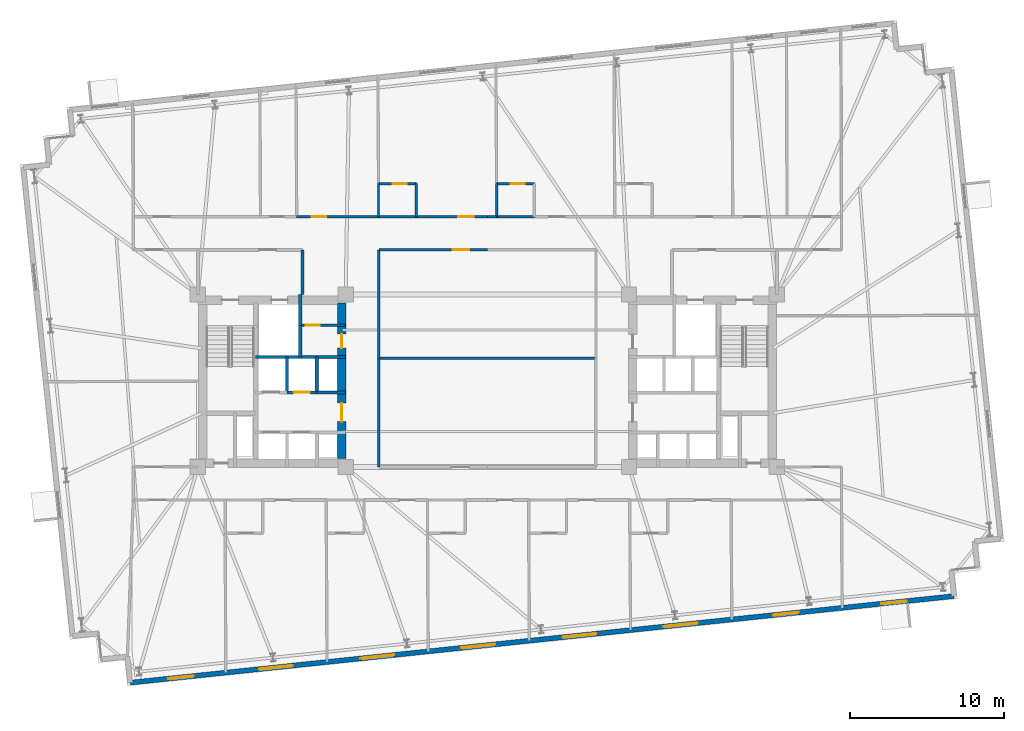
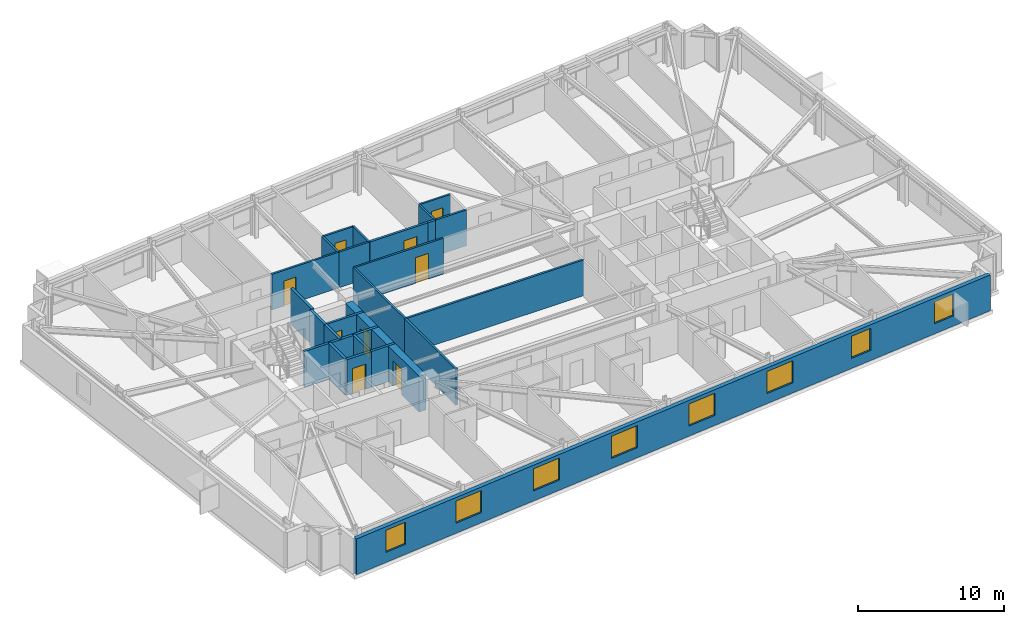
# One storey, part 13 of 19: 25 walls, 9 doors, 8 windows, 17 openings.
"""IFC4 building model written with IfcOpenShell, lengths in metres."""

from ifc_helpers import new_model, si_unit, direction, frame, frame_2d, origin, place, context, subcontext, project, spatial, rectangle, extrude, material, layer, layer_set, type_object, element, fill, save


model = new_model("IFC4")

# Units and contexts
model_context = context("Model", 3, precision=1e-05, world=origin(), true_north=direction((0.0, 1.0)))
body_context = subcontext(model_context, "Body", "Model", "MODEL_VIEW")
ifc_project = project(units=[si_unit("LENGTHUNIT", "METRE"), si_unit("AREAUNIT", "SQUARE_METRE"), si_unit("VOLUMEUNIT", "CUBIC_METRE"), si_unit("PLANEANGLEUNIT", "RADIAN"), si_unit("MASSUNIT", "GRAM", prefix="KILO")], contexts=[model_context])

# Site, building, storey
site_placement = place(None, origin())
site = spatial("IfcSite", under=ifc_project, at=site_placement, CompositionType="ELEMENT")
building_placement = place(site_placement, origin())
building = spatial("IfcBuilding", under=site, at=building_placement, Name="Qobustan Lattice House", CompositionType="ELEMENT")
storey_placement = place(building_placement, frame((0.0, 0.0, 122.550048828125)))
storey = spatial("IfcBuildingStorey", under=building, at=storey_placement, Name="L34", CompositionType="ELEMENT", Elevation=122.550048828125)

# Wall, openings, doors
ifc_material_1 = material(Name="Concrete C60/75", Category="concrete")
ifc_layer_1 = layer(ifc_material_1, 0.56005859375)
ifc_layer_set_1 = layer_set([ifc_layer_1], Name="Concrete C60/75")
wall_type_1 = type_object("IfcWallType", Name="WAL-CORE-600", PredefinedType="SHEAR", material=ifc_layer_set_1)
wall_1_placement = place(storey_placement, frame((-9.449951171875, -5.050048828125, 0.0), z_axis=(0.0, 0.0, 1.0), x_axis=(0.0, 1.0, 0.0)))
wall_1 = element("IfcWall", 1, at=wall_1_placement, inside=storey, type_object=wall_type_1, Name="L34 split-core shear wall CW-E", PredefinedType="SHEAR", context=body_context, shape_type="SweptSolid", body=[
    extrude(rectangle(XDim=10.10009765625, YDim=0.56005859375, at=frame_2d((5.050048828125, 0.0))), origin(), (0.0, 0.0, 1.0), 3.0),
])
opening_1_placement = place(wall_1_placement, frame((7.175048828125, 0.0, 0.0)))
opening_1 = element("IfcOpeningElement", 2, at=opening_1_placement, cuts=wall_1, Name="Opening RD-01", PredefinedType="OPENING", context=body_context, shape_type="SweptSolid", body=[
    extrude(rectangle(XDim=0.89990234375, YDim=2.10009765625, at=frame_2d((0.449951171875, 1.050048828125))), frame((0.0, 0.2900390625, 0.0), z_axis=(0.0, -1.0, 0.0), x_axis=(1.0, 0.0, 0.0)), (0.0, 0.0, 1.0), 0.580078125),
])
opening_2_placement = place(wall_1_placement, frame((2.39990234375, 0.0, 0.0)))
opening_2 = element("IfcOpeningElement", 3, at=opening_2_placement, cuts=wall_1, Name="Opening FD-01", PredefinedType="OPENING", context=body_context, shape_type="SweptSolid", body=[
    extrude(rectangle(XDim=1.199951171875, YDim=2.14990234375, at=frame_2d((0.60009765625, 1.074951171875))), frame((0.0, 0.2900390625, 0.0), z_axis=(0.0, -1.0, 0.0), x_axis=(1.0, 0.0, 0.0)), (0.0, 0.0, 1.0), 0.580078125),
])
ifc_material_2 = material(Name="Persian walnut timber and steel frame door", Category="steel")
door_type_1 = type_object("IfcDoorType", Name="DOR-LOBBY-FD-1200x2150", OperationType="NOTDEFINED", PredefinedType="DOOR", material=ifc_material_2)
door_1_placement = place(opening_2_placement, origin())
door_1 = element("IfcDoor", 4, at=door_1_placement, inside=storey, type_object=door_type_1, Name="L34 West passenger lift lobby fire door", OperationType="SINGLE_SWING_LEFT", OverallHeight=2.14990234375, OverallWidth=1.199951171875, PredefinedType="DOOR", context=body_context, shape_type="SweptSolid", body=[
    extrude(rectangle(XDim=1.199951171875, YDim=2.14990234375, at=frame_2d((0.60009765625, 1.074951171875))), frame((0.0, 0.02490234375, 0.0), z_axis=(0.0, -1.0, 0.0), x_axis=(1.0, 0.0, 0.0)), (0.0, 0.0, 1.0), 0.050048828125),
])
fill(opening_2, door_1)
ifc_material_3 = material(Name="Persian walnut timber and steel frame door", Category="steel")
door_type_2 = type_object("IfcDoorType", Name="DOR-RISER-FD-900x2100", OperationType="NOTDEFINED", PredefinedType="DOOR", material=ifc_material_3)
door_2_placement = place(opening_1_placement, origin())
door_2 = element("IfcDoor", 5, at=door_2_placement, inside=storey, type_object=door_type_2, Name="L34 Core utility lobby fire door", OperationType="SINGLE_SWING_RIGHT", OverallHeight=2.10009765625, OverallWidth=0.89990234375, PredefinedType="DOOR", context=body_context, shape_type="SweptSolid", body=[
    extrude(rectangle(XDim=0.89990234375, YDim=2.10009765625, at=frame_2d((0.449951171875, 1.050048828125))), frame((0.0, 0.02490234375, 0.0), z_axis=(0.0, -1.0, 0.0), x_axis=(1.0, 0.0, 0.0)), (0.0, 0.0, 1.0), 0.050048828125),
])
fill(opening_1, door_2)

# Wall, openings, windows
ifc_material_4 = material(Name="Precast concrete C40/50", Category="concrete")
ifc_layer_2 = layer(ifc_material_4, 0.320068359375)
ifc_layer_set_2 = layer_set([ifc_layer_2], Name="Precast concrete C40/50")
wall_type_2 = type_object("IfcWallType", Name="WAL-EXT-STONE-320", PredefinedType="SOLIDWALL", material=ifc_layer_set_2)
wall_2_placement = place(storey_placement, frame((30.307373046875, -13.985595703125, 0.0), z_axis=(0.0, 0.0, 1.0), x_axis=(-0.994521628355, -0.104531003701, 0.0)))
wall_2 = element("IfcWall", 6, at=wall_2_placement, inside=storey, type_object=wall_type_2, Name="L34 exterior limestone-clad wall 20", PredefinedType="SOLIDWALL", context=body_context, shape_type="SweptSolid", body=[
    extrude(rectangle(XDim=53.800048828125, YDim=0.320068359375, at=frame_2d((26.89990234375, 0.0))), origin(), (0.0, 0.0, 1.0), 3.0),
])
opening_3_placement = place(wall_2_placement, frame((3.097900390625, 0.0, 0.85009765625)))
opening_3 = element("IfcOpeningElement", 7, at=opening_3_placement, cuts=wall_2, Name="Opening WN-09", PredefinedType="OPENING", context=body_context, shape_type="SweptSolid", body=[
    extrude(rectangle(XDim=1.64990234375, YDim=1.85009765625, at=frame_2d((0.824951171875, 0.925048828125))), frame((0.0, 0.169921875, 0.0), z_axis=(0.0, -1.0, 0.0), x_axis=(1.0, 0.0, 0.0)), (0.0, 0.0, 1.0), 0.340087890625),
])
opening_4_placement = place(wall_2_placement, frame((10.143310546875, 0.0, 0.85009765625)))
opening_4 = element("IfcOpeningElement", 8, at=opening_4_placement, cuts=wall_2, Name="Opening WN-09", PredefinedType="OPENING", context=body_context, shape_type="SweptSolid", body=[
    extrude(rectangle(XDim=1.64990234375, YDim=1.85009765625, at=frame_2d((0.824951171875, 0.925048828125))), frame((0.0, 0.169921875, 0.0), z_axis=(0.0, -1.0, 0.0), x_axis=(1.0, 0.0, 0.0)), (0.0, 0.0, 1.0), 0.340087890625),
])
opening_5_placement = place(wall_2_placement, frame((16.75341796875, 0.0, 0.85009765625)))
opening_5 = element("IfcOpeningElement", 9, at=opening_5_placement, cuts=wall_2, Name="Opening WN-03", PredefinedType="OPENING", context=body_context, shape_type="SweptSolid", body=[
    extrude(rectangle(XDim=2.199951171875, YDim=1.85009765625, at=frame_2d((1.10009765625, 0.925048828125))), frame((0.0, 0.169921875, 0.0), z_axis=(0.0, -1.0, 0.0), x_axis=(1.0, 0.0, 0.0)), (0.0, 0.0, 1.0), 0.340087890625),
])
opening_6_placement = place(wall_2_placement, frame((23.358154296875, 0.0, 0.85009765625)))
opening_6 = element("IfcOpeningElement", 10, at=opening_6_placement, cuts=wall_2, Name="Opening WN-03", PredefinedType="OPENING", context=body_context, shape_type="SweptSolid", body=[
    extrude(rectangle(XDim=2.199951171875, YDim=1.85009765625, at=frame_2d((1.10009765625, 0.925048828125))), frame((0.0, 0.169921875, 0.0), z_axis=(0.0, -1.0, 0.0), x_axis=(1.0, 0.0, 0.0)), (0.0, 0.0, 1.0), 0.340087890625),
])
opening_7_placement = place(wall_2_placement, frame((29.963134765625, 0.0, 0.85009765625)))
opening_7 = element("IfcOpeningElement", 11, at=opening_7_placement, cuts=wall_2, Name="Opening WN-03", PredefinedType="OPENING", context=body_context, shape_type="SweptSolid", body=[
    extrude(rectangle(XDim=2.199951171875, YDim=1.85009765625, at=frame_2d((1.10009765625, 0.925048828125))), frame((0.0, 0.169921875, 0.0), z_axis=(0.0, -1.0, 0.0), x_axis=(1.0, 0.0, 0.0)), (0.0, 0.0, 1.0), 0.340087890625),
])
opening_8_placement = place(wall_2_placement, frame((36.568115234375, 0.0, 0.85009765625)))
opening_8 = element("IfcOpeningElement", 12, at=opening_8_placement, cuts=wall_2, Name="Opening WN-03", PredefinedType="OPENING", context=body_context, shape_type="SweptSolid", body=[
    extrude(rectangle(XDim=2.199951171875, YDim=1.85009765625, at=frame_2d((1.10009765625, 0.925048828125))), frame((0.0, 0.169921875, 0.0), z_axis=(0.0, -1.0, 0.0), x_axis=(1.0, 0.0, 0.0)), (0.0, 0.0, 1.0), 0.340087890625),
])
opening_9_placement = place(wall_2_placement, frame((43.1728515625, 0.0, 0.85009765625)))
opening_9 = element("IfcOpeningElement", 13, at=opening_9_placement, cuts=wall_2, Name="Opening WN-03", PredefinedType="OPENING", context=body_context, shape_type="SweptSolid", body=[
    extrude(rectangle(XDim=2.199951171875, YDim=1.85009765625, at=frame_2d((1.10009765625, 0.925048828125))), frame((0.0, 0.169921875, 0.0), z_axis=(0.0, -1.0, 0.0), x_axis=(1.0, 0.0, 0.0)), (0.0, 0.0, 1.0), 0.340087890625),
])
opening_10_placement = place(wall_2_placement, frame((49.652587890625, 0.0, 0.85009765625)))
opening_10 = element("IfcOpeningElement", 14, at=opening_10_placement, cuts=wall_2, Name="Opening WN-09", PredefinedType="OPENING", context=body_context, shape_type="SweptSolid", body=[
    extrude(rectangle(XDim=1.64990234375, YDim=1.85009765625, at=frame_2d((0.824951171875, 0.925048828125))), frame((0.0, 0.169921875, 0.0), z_axis=(0.0, -1.0, 0.0), x_axis=(1.0, 0.0, 0.0)), (0.0, 0.0, 1.0), 0.340087890625),
])
ifc_material_5 = material(Name="Double-glazed low-E aluminium window", Category="aluminium")
window_type_1 = type_object("IfcWindowType", Name="WIN-STU-1650x1850", PartitioningType="SINGLE_PANEL", PredefinedType="WINDOW", material=ifc_material_5)
window_1_placement = place(opening_3_placement, origin())
window_1 = element("IfcWindow", 15, at=window_1_placement, inside=storey, type_object=window_type_1, Name="L34 Academic seminar room window", OverallHeight=1.85009765625, OverallWidth=1.64990234375, PartitioningType="SINGLE_PANEL", PredefinedType="WINDOW", context=body_context, shape_type="SweptSolid", body=[
    extrude(rectangle(XDim=1.64990234375, YDim=1.85009765625, at=frame_2d((0.824951171875, 0.925048828125))), frame((0.0, 0.030029296875, 0.0), z_axis=(0.0, -1.0, 0.0), x_axis=(1.0, 0.0, 0.0)), (0.0, 0.0, 1.0), 0.06005859375),
])
fill(opening_3, window_1)
window_2_placement = place(opening_4_placement, origin())
window_2 = element("IfcWindow", 16, at=window_2_placement, inside=storey, type_object=window_type_1, Name="L34 Group study room window", OverallHeight=1.85009765625, OverallWidth=1.64990234375, PartitioningType="SINGLE_PANEL", PredefinedType="WINDOW", context=body_context, shape_type="SweptSolid", body=[
    extrude(rectangle(XDim=1.64990234375, YDim=1.85009765625, at=frame_2d((0.824951171875, 0.925048828125))), frame((0.0, 0.030029296875, 0.0), z_axis=(0.0, -1.0, 0.0), x_axis=(1.0, 0.0, 0.0)), (0.0, 0.0, 1.0), 0.06005859375),
])
fill(opening_4, window_2)
window_3_placement = place(opening_10_placement, origin())
window_3 = element("IfcWindow", 17, at=window_3_placement, inside=storey, type_object=window_type_1, Name="L34 Focus study room S1 window", OverallHeight=1.85009765625, OverallWidth=1.64990234375, PartitioningType="SINGLE_PANEL", PredefinedType="WINDOW", context=body_context, shape_type="SweptSolid", body=[
    extrude(rectangle(XDim=1.64990234375, YDim=1.85009765625, at=frame_2d((0.824951171875, 0.925048828125))), frame((0.0, 0.030029296875, 0.0), z_axis=(0.0, -1.0, 0.0), x_axis=(1.0, 0.0, 0.0)), (0.0, 0.0, 1.0), 0.06005859375),
])
fill(opening_10, window_3)
ifc_material_6 = material(Name="Double-glazed low-E aluminium window", Category="aluminium")
window_type_2 = type_object("IfcWindowType", Name="WIN-WIDE-2200x1850", PartitioningType="SINGLE_PANEL", PredefinedType="WINDOW", material=ifc_material_6)
window_4_placement = place(opening_5_placement, origin())
window_4 = element("IfcWindow", 18, at=window_4_placement, inside=storey, type_object=window_type_2, Name="L34 Kitchenette and studio apartment L34-S6 window", OverallHeight=1.85009765625, OverallWidth=2.199951171875, PartitioningType="SINGLE_PANEL", PredefinedType="WINDOW", context=body_context, shape_type="SweptSolid", body=[
    extrude(rectangle(XDim=2.199951171875, YDim=1.85009765625, at=frame_2d((1.10009765625, 0.925048828125))), frame((0.0, 0.030029296875, 0.0), z_axis=(0.0, -1.0, 0.0), x_axis=(1.0, 0.0, 0.0)), (0.0, 0.0, 1.0), 0.06005859375),
])
fill(opening_5, window_4)
window_5_placement = place(opening_6_placement, origin())
window_5 = element("IfcWindow", 19, at=window_5_placement, inside=storey, type_object=window_type_2, Name="L34 Kitchenette and studio apartment L34-S5 window", OverallHeight=1.85009765625, OverallWidth=2.199951171875, PartitioningType="SINGLE_PANEL", PredefinedType="WINDOW", context=body_context, shape_type="SweptSolid", body=[
    extrude(rectangle(XDim=2.199951171875, YDim=1.85009765625, at=frame_2d((1.10009765625, 0.925048828125))), frame((0.0, 0.030029296875, 0.0), z_axis=(0.0, -1.0, 0.0), x_axis=(1.0, 0.0, 0.0)), (0.0, 0.0, 1.0), 0.06005859375),
])
fill(opening_6, window_5)
window_6_placement = place(opening_7_placement, origin())
window_6 = element("IfcWindow", 20, at=window_6_placement, inside=storey, type_object=window_type_2, Name="L34 Kitchenette and studio apartment L34-S4 window", OverallHeight=1.85009765625, OverallWidth=2.199951171875, PartitioningType="SINGLE_PANEL", PredefinedType="WINDOW", context=body_context, shape_type="SweptSolid", body=[
    extrude(rectangle(XDim=2.199951171875, YDim=1.85009765625, at=frame_2d((1.10009765625, 0.925048828125))), frame((0.0, 0.030029296875, 0.0), z_axis=(0.0, -1.0, 0.0), x_axis=(1.0, 0.0, 0.0)), (0.0, 0.0, 1.0), 0.06005859375),
])
fill(opening_7, window_6)
window_7_placement = place(opening_8_placement, origin())
window_7 = element("IfcWindow", 21, at=window_7_placement, inside=storey, type_object=window_type_2, Name="L34 Kitchenette and studio apartment L34-S3 window", OverallHeight=1.85009765625, OverallWidth=2.199951171875, PartitioningType="SINGLE_PANEL", PredefinedType="WINDOW", context=body_context, shape_type="SweptSolid", body=[
    extrude(rectangle(XDim=2.199951171875, YDim=1.85009765625, at=frame_2d((1.10009765625, 0.925048828125))), frame((0.0, 0.030029296875, 0.0), z_axis=(0.0, -1.0, 0.0), x_axis=(1.0, 0.0, 0.0)), (0.0, 0.0, 1.0), 0.06005859375),
])
fill(opening_8, window_7)
window_8_placement = place(opening_9_placement, origin())
window_8 = element("IfcWindow", 22, at=window_8_placement, inside=storey, type_object=window_type_2, Name="L34 Kitchenette and studio apartment L34-S2 window", OverallHeight=1.85009765625, OverallWidth=2.199951171875, PartitioningType="SINGLE_PANEL", PredefinedType="WINDOW", context=body_context, shape_type="SweptSolid", body=[
    extrude(rectangle(XDim=2.199951171875, YDim=1.85009765625, at=frame_2d((1.10009765625, 0.925048828125))), frame((0.0, 0.030029296875, 0.0), z_axis=(0.0, -1.0, 0.0), x_axis=(1.0, 0.0, 0.0)), (0.0, 0.0, 1.0), 0.06005859375),
])
fill(opening_9, window_8)

# Wall, opening, door
ifc_material_7 = material(Name="Gypsum fireboard acoustic partition", Category="gypsum")
ifc_layer_3 = layer(ifc_material_7, 0.179931640625)
ifc_layer_set_3 = layer_set([ifc_layer_3], Name="Gypsum fireboard acoustic partition")
wall_type_3 = type_object("IfcWallType", Name="WAL-FIRE-180", PredefinedType="PARTITIONING", material=ifc_layer_set_3)
wall_3_placement = place(storey_placement, frame((-9.199951171875, 3.60009765625, 0.0), z_axis=(0.0, 0.0, 1.0), x_axis=(-1.0, 0.0, 0.0)))
wall_3 = element("IfcWall", 23, at=wall_3_placement, inside=storey, type_object=wall_type_3, Name="L34 interior partition 7", PredefinedType="PARTITIONING", context=body_context, shape_type="SweptSolid", body=[
    extrude(rectangle(XDim=2.949951171875, YDim=0.179931640625, at=frame_2d((1.47509765625, 0.0))), origin(), (0.0, 0.0, 1.0), 3.0),
])
opening_11_placement = place(wall_3_placement, frame((1.699951171875, 0.0, 0.0)))
opening_11 = element("IfcOpeningElement", 24, at=opening_11_placement, cuts=wall_3, Name="Opening RD-01", PredefinedType="OPENING", context=body_context, shape_type="SweptSolid", body=[
    extrude(rectangle(XDim=0.89990234375, YDim=2.10009765625, at=frame_2d((0.449951171875, 1.050048828125))), frame((0.0, 0.099853515625, 0.0), z_axis=(0.0, -1.0, 0.0), x_axis=(1.0, 0.0, 0.0)), (0.0, 0.0, 1.0), 0.199951171875),
])
door_3_placement = place(opening_11_placement, origin())
door_3 = element("IfcDoor", 25, at=door_3_placement, inside=storey, type_object=door_type_2, Name="L34 Core utility lobby to Cleaner store door", OperationType="SINGLE_SWING_LEFT", OverallHeight=2.10009765625, OverallWidth=0.89990234375, PredefinedType="DOOR", context=body_context, shape_type="SweptSolid", body=[
    extrude(rectangle(XDim=0.89990234375, YDim=2.10009765625, at=frame_2d((0.449951171875, 1.050048828125))), frame((0.0, 0.02490234375, 0.0), z_axis=(0.0, -1.0, 0.0), x_axis=(1.0, 0.0, 0.0)), (0.0, 0.0, 1.0), 0.050048828125),
])
fill(opening_11, door_3)

wall_4_placement = place(storey_placement, frame((-4.616943359375, 10.64990234375, 0.0), z_axis=(0.0, 0.0, 1.0), x_axis=(1.0, 0.0, 0.0)))
wall_4 = element("IfcWall", 26, at=wall_4_placement, inside=storey, type_object=wall_type_3, Name="L34 interior partition 42", PredefinedType="PARTITIONING", context=body_context, shape_type="SweptSolid", body=[
    extrude(rectangle(XDim=4.616943359375, YDim=0.179931640625, at=frame_2d((2.30859375, 0.0))), origin(), (0.0, 0.0, 1.0), 3.0),
])
opening_12_placement = place(wall_4_placement, frame((2.72998046875, 0.0, 0.0)))
opening_12 = element("IfcOpeningElement", 27, at=opening_12_placement, cuts=wall_4, Name="Opening FD-02", PredefinedType="OPENING", context=body_context, shape_type="SweptSolid", body=[
    extrude(rectangle(XDim=1.0, YDim=2.14990234375, at=frame_2d((0.5, 1.074951171875))), frame((0.0, 0.099853515625, 0.0), z_axis=(0.0, -1.0, 0.0), x_axis=(1.0, 0.0, 0.0)), (0.0, 0.0, 1.0), 0.199951171875),
])
ifc_material_8 = material(Name="Persian walnut timber and steel frame door", Category="steel")
door_type_3 = type_object("IfcDoorType", Name="DOR-UNIT-FD-1000x2150", OperationType="NOTDEFINED", PredefinedType="DOOR", material=ifc_material_8)
door_4_placement = place(opening_12_placement, origin())
door_4 = element("IfcDoor", 28, at=door_4_placement, inside=storey, type_object=door_type_3, Name="L34 North-west floor corridor to Kitchenette and studio apartment L34-N3 door", OperationType="SINGLE_SWING_LEFT", OverallHeight=2.14990234375, OverallWidth=1.0, PredefinedType="DOOR", context=body_context, shape_type="SweptSolid", body=[
    extrude(rectangle(XDim=1.0, YDim=2.14990234375, at=frame_2d((0.5, 1.074951171875))), frame((0.0, 0.02490234375, 0.0), z_axis=(0.0, -1.0, 0.0), x_axis=(1.0, 0.0, 0.0)), (0.0, 0.0, 1.0), 0.050048828125),
])
fill(opening_12, door_4)

# Wall
wall_5_placement = place(storey_placement, frame((0.0, 10.64990234375, 0.0), z_axis=(0.0, 0.0, 1.0), x_axis=(1.0, 0.0, 0.0)))
element("IfcWall", 29, at=wall_5_placement, inside=storey, type_object=wall_type_3, Name="L34 interior partition 47", PredefinedType="PARTITIONING", context=body_context, shape_type="SweptSolid", body=[
    extrude(rectangle(XDim=0.60009765625, YDim=0.179931640625, at=frame_2d((0.300048828125, 0.0))), origin(), (0.0, 0.0, 1.0), 3.0),
])

# Wall, opening, door
ifc_material_9 = material(Name="Acoustic twin-stud gypsum partition", Category="gypsum")
ifc_layer_4 = layer(ifc_material_9, 0.14990234375)
ifc_layer_set_4 = layer_set([ifc_layer_4], Name="Acoustic twin-stud gypsum partition")
wall_type_4 = type_object("IfcWallType", Name="WAL-PART-150", PredefinedType="PARTITIONING", material=ifc_layer_set_4)
wall_6_placement = place(storey_placement, frame((-12.383056640625, 10.64990234375, 0.0), z_axis=(0.0, 0.0, 1.0), x_axis=(1.0, 0.0, 0.0)))
wall_6 = element("IfcWall", 30, at=wall_6_placement, inside=storey, type_object=wall_type_4, Name="L34 interior partition 41", PredefinedType="PARTITIONING", context=body_context, shape_type="SweptSolid", body=[
    extrude(rectangle(XDim=5.316162109375, YDim=0.14990234375, at=frame_2d((2.658203125, 0.0))), origin(), (0.0, 0.0, 1.0), 3.0),
])
opening_13_placement = place(wall_6_placement, frame((0.980712890625, 0.0, 0.0)))
opening_13 = element("IfcOpeningElement", 31, at=opening_13_placement, cuts=wall_6, Name="Opening ID-01", PredefinedType="OPENING", context=body_context, shape_type="SweptSolid", body=[
    extrude(rectangle(XDim=0.949951171875, YDim=2.10009765625, at=frame_2d((0.47509765625, 1.050048828125))), frame((0.0, 0.0849609375, 0.0), z_axis=(0.0, -1.0, 0.0), x_axis=(1.0, 0.0, 0.0)), (0.0, 0.0, 1.0), 0.169921875),
])
ifc_material_10 = material(Name="Persian walnut timber and steel frame door", Category="steel")
door_type_4 = type_object("IfcDoorType", Name="DOR-ROOM-950x2100", OperationType="NOTDEFINED", PredefinedType="DOOR", material=ifc_material_10)
door_5_placement = place(opening_13_placement, origin())
door_5 = element("IfcDoor", 32, at=door_5_placement, inside=storey, type_object=door_type_4, Name="L34 North-west floor corridor to Laundry utility room door", OperationType="SINGLE_SWING_RIGHT", OverallHeight=2.10009765625, OverallWidth=0.949951171875, PredefinedType="DOOR", context=body_context, shape_type="SweptSolid", body=[
    extrude(rectangle(XDim=0.949951171875, YDim=2.10009765625, at=frame_2d((0.47509765625, 1.050048828125))), frame((0.0, 0.02490234375, 0.0), z_axis=(0.0, -1.0, 0.0), x_axis=(1.0, 0.0, 0.0)), (0.0, 0.0, 1.0), 0.050048828125),
])
fill(opening_13, door_5)

wall_7_placement = place(storey_placement, frame((0.0, 8.5, 0.0), z_axis=(0.0, 0.0, 1.0), x_axis=(-1.0, 0.0, 0.0)))
wall_7 = element("IfcWall", 33, at=wall_7_placement, inside=storey, type_object=wall_type_4, Name="L34 interior partition 44", PredefinedType="PARTITIONING", context=body_context, shape_type="SweptSolid", body=[
    extrude(rectangle(XDim=7.050048828125, YDim=0.14990234375, at=frame_2d((3.52490234375, 0.0))), origin(), (0.0, 0.0, 1.0), 3.0),
])
opening_14_placement = place(wall_7_placement, frame((1.18505859375, 0.0, 0.0)))
opening_14 = element("IfcOpeningElement", 34, at=opening_14_placement, cuts=wall_7, Name="Opening ID-02", PredefinedType="OPENING", context=body_context, shape_type="SweptSolid", body=[
    extrude(rectangle(XDim=1.050048828125, YDim=2.14990234375, at=frame_2d((0.52490234375, 1.074951171875))), frame((0.0, 0.0849609375, 0.0), z_axis=(0.0, -1.0, 0.0), x_axis=(1.0, 0.0, 0.0)), (0.0, 0.0, 1.0), 0.169921875),
])
ifc_material_11 = material(Name="Persian walnut timber and steel frame door", Category="steel")
door_type_5 = type_object("IfcDoorType", Name="DOR-STUDY-1050x2150", OperationType="NOTDEFINED", PredefinedType="DOOR", material=ifc_material_11)
door_6_placement = place(opening_14_placement, origin())
door_6 = element("IfcDoor", 35, at=door_6_placement, inside=storey, type_object=door_type_5, Name="L34 North-west floor corridor to Central collaborative study room door", OperationType="SINGLE_SWING_RIGHT", OverallHeight=2.14990234375, OverallWidth=1.050048828125, PredefinedType="DOOR", context=body_context, shape_type="SweptSolid", body=[
    extrude(rectangle(XDim=1.050048828125, YDim=2.14990234375, at=frame_2d((0.52490234375, 1.074951171875))), frame((0.0, 0.02490234375, 0.0), z_axis=(0.0, -1.0, 0.0), x_axis=(1.0, 0.0, 0.0)), (0.0, 0.0, 1.0), 0.050048828125),
])
fill(opening_14, door_6)

# Walls
wall_8_placement = place(storey_placement, frame((-7.050048828125, 8.5, 0.0), z_axis=(0.0, 0.0, 1.0), x_axis=(0.0, -1.0, 0.0)))
element("IfcWall", 36, at=wall_8_placement, inside=storey, type_object=wall_type_4, Name="L34 interior partition 75", PredefinedType="PARTITIONING", context=body_context, shape_type="SweptSolid", body=[
    extrude(rectangle(XDim=7.050048828125, YDim=0.14990234375, at=frame_2d((3.52490234375, 0.0))), origin(), (0.0, 0.0, 1.0), 3.0),
])
ifc_material_12 = material(Name="High-mass acoustic twin-stud partition", Category="gypsum")
ifc_layer_5 = layer(ifc_material_12, 0.1650390625)
ifc_layer_set_5 = layer_set([ifc_layer_5], Name="High-mass acoustic twin-stud partition")
wall_type_5 = type_object("IfcWallType", Name="WAL-PART-165", PredefinedType="PARTITIONING", material=ifc_layer_set_5)
wall_9_placement = place(storey_placement, frame((-7.050048828125, 1.449951171875, 0.0), z_axis=(0.0, 0.0, 1.0), x_axis=(0.0, -1.0, 0.0)))
element("IfcWall", 37, at=wall_9_placement, inside=storey, type_object=wall_type_5, Name="L34 interior partition 74", PredefinedType="PARTITIONING", context=body_context, shape_type="SweptSolid", body=[
    extrude(rectangle(XDim=7.050048828125, YDim=0.1650390625, at=frame_2d((3.52490234375, 0.0))), origin(), (0.0, 0.0, 1.0), 3.0),
])
wall_10_placement = place(storey_placement, frame((-7.050048828125, 1.449951171875, 0.0), z_axis=(0.0, 0.0, 1.0), x_axis=(1.0, 0.0, 0.0)))
element("IfcWall", 38, at=wall_10_placement, inside=storey, type_object=wall_type_5, Name="L34 interior partition 121", PredefinedType="PARTITIONING", context=body_context, shape_type="SweptSolid", body=[
    extrude(rectangle(XDim=14.10009765625, YDim=0.1650390625, at=frame_2d((7.050048828125, 0.0))), origin(), (0.0, 0.0, 1.0), 3.0),
])
ifc_material_13 = material(Name="Two-hour gypsum fireboard acoustic partition", Category="gypsum")
ifc_layer_6 = layer(ifc_material_13, 0.199951171875)
ifc_layer_set_6 = layer_set([ifc_layer_6], Name="Two-hour gypsum fireboard acoustic partition")
wall_type_6 = type_object("IfcWallType", Name="WAL-PROT-200", PredefinedType="PARTITIONING", material=ifc_layer_set_6)
wall_11_placement = place(storey_placement, frame((-12.0, 5.60009765625, 0.0), z_axis=(0.0, 0.0, 1.0), x_axis=(0.0, 1.0, 0.0)))
element("IfcWall", 39, at=wall_11_placement, inside=storey, type_object=wall_type_6, Name="L34 interior partition 5", PredefinedType="PARTITIONING", context=body_context, shape_type="SweptSolid", body=[
    extrude(rectangle(XDim=2.89990234375, YDim=0.199951171875, at=frame_2d((1.449951171875, 0.0))), origin(), (0.0, 0.0, 1.0), 3.0),
])
ifc_material_14 = material(Name="Concrete C40/50", Category="concrete")
ifc_layer_7 = layer(ifc_material_14, 0.199951171875)
ifc_layer_set_7 = layer_set([ifc_layer_7], Name="Concrete C40/50")
wall_type_7 = type_object("IfcWallType", Name="WAL-SHAFT-200", PredefinedType="PARTITIONING", material=ifc_layer_set_7)
wall_12_placement = place(storey_placement, frame((-12.14990234375, 1.550048828125, 0.0), z_axis=(0.0, 0.0, 1.0), x_axis=(0.0, 1.0, 0.0)))
element("IfcWall", 40, at=wall_12_placement, inside=storey, type_object=wall_type_7, Name="L34 interior partition 2", PredefinedType="PARTITIONING", context=body_context, shape_type="SweptSolid", body=[
    extrude(rectangle(XDim=2.050048828125, YDim=0.199951171875, at=frame_2d((1.02490234375, 0.0))), origin(), (0.0, 0.0, 1.0), 3.0),
])
wall_13_placement = place(storey_placement, frame((-12.14990234375, 3.60009765625, 0.0), z_axis=(0.0, 0.0, 1.0), x_axis=(0.0, 1.0, 0.0)))
element("IfcWall", 41, at=wall_13_placement, inside=storey, type_object=wall_type_7, Name="L34 interior partition 3", PredefinedType="PARTITIONING", context=body_context, shape_type="SweptSolid", body=[
    extrude(rectangle(XDim=2.0, YDim=0.199951171875, at=frame_2d((1.0, 0.0))), origin(), (0.0, 0.0, 1.0), 3.0),
])

# Wall, opening, door
wall_14_placement = place(storey_placement, frame((-11.080078125, -0.75, 0.0), z_axis=(0.0, 0.0, 1.0), x_axis=(-1.0, 0.0, 0.0)))
wall_14 = element("IfcWall", 42, at=wall_14_placement, inside=storey, type_object=wall_type_7, Name="L34 interior partition 13", PredefinedType="PARTITIONING", context=body_context, shape_type="SweptSolid", body=[
    extrude(rectangle(XDim=1.93994140625, YDim=0.199951171875, at=frame_2d((0.969970703125, 0.0))), origin(), (0.0, 0.0, 1.0), 3.0),
])
opening_15_placement = place(wall_14_placement, frame((0.445068359375, 0.0, 0.0)))
opening_15 = element("IfcOpeningElement", 43, at=opening_15_placement, cuts=wall_14, Name="Opening LD-01", PredefinedType="OPENING", context=body_context, shape_type="SweptSolid", body=[
    extrude(rectangle(XDim=1.050048828125, YDim=2.10009765625, at=frame_2d((0.52490234375, 1.050048828125))), frame((0.0, 0.10986328125, 0.0), z_axis=(0.0, -1.0, 0.0), x_axis=(1.0, 0.0, 0.0)), (0.0, 0.0, 1.0), 0.219970703125),
])
ifc_material_15 = material(Name="Persian walnut timber and steel frame door", Category="steel")
door_type_6 = type_object("IfcDoorType", Name="DOR-LIFT-LD-1050x2100", OperationType="NOTDEFINED", PredefinedType="DOOR", material=ifc_material_15)
door_7_placement = place(opening_15_placement, origin())
door_7 = element("IfcDoor", 44, at=door_7_placement, inside=storey, type_object=door_type_6, Name="L34 lift landing door", OperationType="DOUBLE_DOOR_SLIDING", OverallHeight=2.10009765625, OverallWidth=1.050048828125, PredefinedType="DOOR", context=body_context, shape_type="SweptSolid", body=[
    extrude(rectangle(XDim=1.050048828125, YDim=2.10009765625, at=frame_2d((0.52490234375, 1.050048828125))), frame((0.0, 0.02490234375, 0.0), z_axis=(0.0, -1.0, 0.0), x_axis=(1.0, 0.0, 0.0)), (0.0, 0.0, 1.0), 0.050048828125),
])
fill(opening_15, door_7)

# Walls
wall_15_placement = place(storey_placement, frame((-9.199951171875, -0.75, 0.0), z_axis=(0.0, 0.0, 1.0), x_axis=(-1.0, 0.0, 0.0)))
element("IfcWall", 45, at=wall_15_placement, inside=storey, type_object=wall_type_7, Name="L34 interior partition 14", PredefinedType="PARTITIONING", context=body_context, shape_type="SweptSolid", body=[
    extrude(rectangle(XDim=1.880126953125, YDim=0.199951171875, at=frame_2d((0.93994140625, 0.0))), origin(), (0.0, 0.0, 1.0), 3.0),
])
for number, where, z_axis, x_axis, name in (
    (46, (-13.02001953125, -0.75, 0.0), (0.0, 0.0, 1.0), (0.0, 1.0, 0.0), "L34 interior partition 18"),
    (47, (-11.080078125, -0.75, 0.0), (0.0, 0.0, 1.0), (0.0, 1.0, 0.0), "L34 interior partition 19"),
):
    element("IfcWall", number, at=place(storey_placement, frame(where, z_axis=z_axis, x_axis=x_axis)), inside=storey, type_object=wall_type_7, Name=name, PredefinedType="PARTITIONING", context=body_context, shape_type="SweptSolid", body=[
        extrude(rectangle(XDim=2.300048828125, YDim=0.199951171875, at=frame_2d((1.14990234375, 0.0))), origin(), (0.0, 0.0, 1.0), 3.0),
    ])
wall_16_placement = place(storey_placement, frame((-15.050048828125, 1.550048828125, 0.0), z_axis=(0.0, 0.0, 1.0), x_axis=(1.0, 0.0, 0.0)))
element("IfcWall", 48, at=wall_16_placement, inside=storey, type_object=wall_type_7, Name="L34 interior partition 122", PredefinedType="PARTITIONING", context=body_context, shape_type="SweptSolid", body=[
    extrude(rectangle(XDim=5.85009765625, YDim=0.199951171875, at=frame_2d((2.925048828125, 0.0))), origin(), (0.0, 0.0, 1.0), 3.0),
])
ifc_material_16 = material(Name="Moisture-resistant acoustic plumbing wall", Category="gypsum")
ifc_layer_8 = layer(ifc_material_16, 0.14990234375)
ifc_layer_set_8 = layer_set([ifc_layer_8], Name="Moisture-resistant acoustic plumbing wall")
wall_type_8 = type_object("IfcWallType", Name="WAL-WET-150", PredefinedType="PLUMBINGWALL", material=ifc_layer_set_8)
for number, where, z_axis, x_axis, name in (
    (49, (-7.06689453125, 10.64990234375, 0.0), (0.0, 0.0, 1.0), (1.0, 0.0, 0.0), "L34 interior partition 43"),
    (50, (0.60009765625, 10.64990234375, 0.0), (0.0, 0.0, 1.0), (1.0, 0.0, 0.0), "L34 interior partition 49"),
):
    element("IfcWall", number, at=place(storey_placement, frame(where, z_axis=z_axis, x_axis=x_axis)), inside=storey, type_object=wall_type_8, Name=name, PredefinedType="PLUMBINGWALL", context=body_context, shape_type="SweptSolid", body=[
        extrude(rectangle(XDim=2.449951171875, YDim=0.14990234375, at=frame_2d((1.22509765625, 0.0))), origin(), (0.0, 0.0, 1.0), 3.0),
    ])
wall_17_placement = place(storey_placement, frame((-7.06689453125, 12.800048828125, 0.0), z_axis=(0.0, 0.0, 1.0), x_axis=(0.0, -1.0, 0.0)))
element("IfcWall", 51, at=wall_17_placement, inside=storey, type_object=wall_type_8, Name="L34 interior partition 87", PredefinedType="PLUMBINGWALL", context=body_context, shape_type="SweptSolid", body=[
    extrude(rectangle(XDim=2.150146484375, YDim=0.14990234375, at=frame_2d((1.0751953125, 0.0))), origin(), (0.0, 0.0, 1.0), 3.0),
])

# Wall, opening, door
wall_18_placement = place(storey_placement, frame((-4.616943359375, 12.800048828125, 0.0), z_axis=(0.0, 0.0, 1.0), x_axis=(-1.0, 0.0, 0.0)))
wall_18 = element("IfcWall", 52, at=wall_18_placement, inside=storey, type_object=wall_type_8, Name="L34 interior partition 88", PredefinedType="PLUMBINGWALL", context=body_context, shape_type="SweptSolid", body=[
    extrude(rectangle(XDim=2.449951171875, YDim=0.14990234375, at=frame_2d((1.22509765625, 0.0))), origin(), (0.0, 0.0, 1.0), 3.0),
])
opening_16_placement = place(wall_18_placement, frame((0.62890625, 0.0, 0.0)))
opening_16 = element("IfcOpeningElement", 53, at=opening_16_placement, cuts=wall_18, Name="Opening WD-01", PredefinedType="OPENING", context=body_context, shape_type="SweptSolid", body=[
    extrude(rectangle(XDim=0.89990234375, YDim=2.10009765625, at=frame_2d((0.449951171875, 1.050048828125))), frame((0.0, 0.0849609375, 0.0), z_axis=(0.0, -1.0, 0.0), x_axis=(1.0, 0.0, 0.0)), (0.0, 0.0, 1.0), 0.169921875),
])
ifc_material_17 = material(Name="Persian walnut timber and steel frame door", Category="steel")
door_type_7 = type_object("IfcDoorType", Name="DOR-WET-900x2100", OperationType="NOTDEFINED", PredefinedType="DOOR", material=ifc_material_17)
door_8_placement = place(opening_16_placement, origin())
door_8 = element("IfcDoor", 54, at=door_8_placement, inside=storey, type_object=door_type_7, Name="L34 Kitchenette and studio apartment L34-N3 to En-suite bathroom L34-N3 door", OperationType="SINGLE_SWING_RIGHT", OverallHeight=2.10009765625, OverallWidth=0.89990234375, PredefinedType="DOOR", context=body_context, shape_type="SweptSolid", body=[
    extrude(rectangle(XDim=0.89990234375, YDim=2.10009765625, at=frame_2d((0.449951171875, 1.050048828125))), frame((0.0, 0.02490234375, 0.0), z_axis=(0.0, -1.0, 0.0), x_axis=(1.0, 0.0, 0.0)), (0.0, 0.0, 1.0), 0.050048828125),
])
fill(opening_16, door_8)

# Walls
for number, where, z_axis, x_axis, name in (
    (55, (-4.616943359375, 10.64990234375, 0.0), (0.0, 0.0, 1.0), (0.0, 1.0, 0.0), "L34 interior partition 89"),
    (56, (0.60009765625, 12.800048828125, 0.0), (0.0, 0.0, 1.0), (0.0, -1.0, 0.0), "L34 interior partition 91"),
):
    element("IfcWall", number, at=place(storey_placement, frame(where, z_axis=z_axis, x_axis=x_axis)), inside=storey, type_object=wall_type_8, Name=name, PredefinedType="PLUMBINGWALL", context=body_context, shape_type="SweptSolid", body=[
        extrude(rectangle(XDim=2.150146484375, YDim=0.14990234375, at=frame_2d((1.0751953125, 0.0))), origin(), (0.0, 0.0, 1.0), 3.0),
    ])

# Wall, opening, door
wall_19_placement = place(storey_placement, frame((3.050048828125, 12.800048828125, 0.0), z_axis=(0.0, 0.0, 1.0), x_axis=(-1.0, 0.0, 0.0)))
wall_19 = element("IfcWall", 57, at=wall_19_placement, inside=storey, type_object=wall_type_8, Name="L34 interior partition 92", PredefinedType="PLUMBINGWALL", context=body_context, shape_type="SweptSolid", body=[
    extrude(rectangle(XDim=2.449951171875, YDim=0.14990234375, at=frame_2d((1.22509765625, 0.0))), origin(), (0.0, 0.0, 1.0), 3.0),
])
opening_17_placement = place(wall_19_placement, frame((0.628662109375, 0.0, 0.0)))
opening_17 = element("IfcOpeningElement", 58, at=opening_17_placement, cuts=wall_19, Name="Opening WD-01", PredefinedType="OPENING", context=body_context, shape_type="SweptSolid", body=[
    extrude(rectangle(XDim=0.89990234375, YDim=2.10009765625, at=frame_2d((0.449951171875, 1.050048828125))), frame((0.0, 0.0849609375, 0.0), z_axis=(0.0, -1.0, 0.0), x_axis=(1.0, 0.0, 0.0)), (0.0, 0.0, 1.0), 0.169921875),
])
door_9_placement = place(opening_17_placement, origin())
door_9 = element("IfcDoor", 59, at=door_9_placement, inside=storey, type_object=door_type_7, Name="L34 Kitchenette and studio apartment L34-N4 to En-suite bathroom L34-N4 door", OperationType="SINGLE_SWING_LEFT", OverallHeight=2.10009765625, OverallWidth=0.89990234375, PredefinedType="DOOR", context=body_context, shape_type="SweptSolid", body=[
    extrude(rectangle(XDim=0.89990234375, YDim=2.10009765625, at=frame_2d((0.449951171875, 1.050048828125))), frame((0.0, 0.02490234375, 0.0), z_axis=(0.0, -1.0, 0.0), x_axis=(1.0, 0.0, 0.0)), (0.0, 0.0, 1.0), 0.050048828125),
])
fill(opening_17, door_9)

save(model, "model.ifc")
